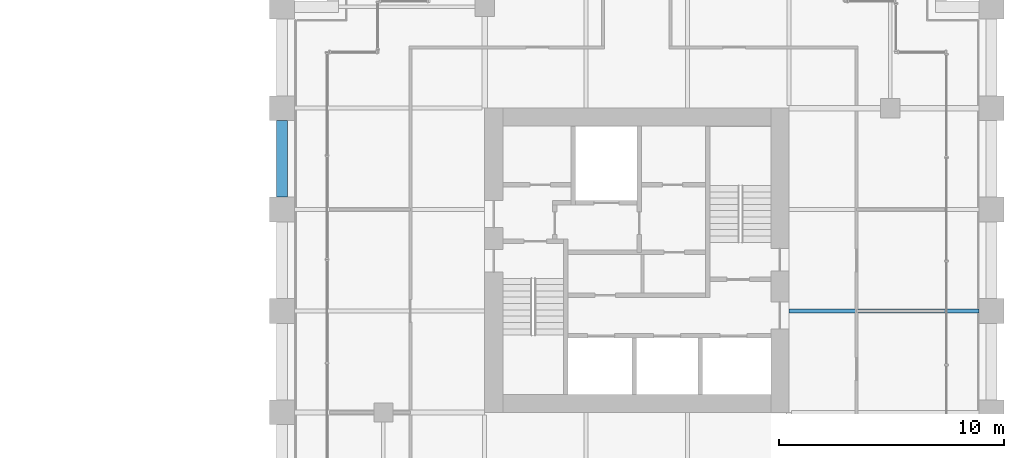
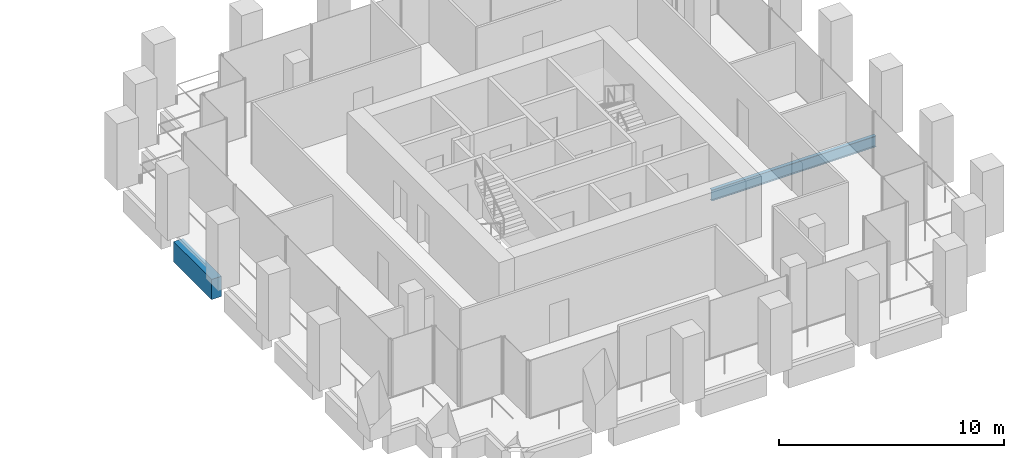
# One storey, part 39 of 56: 2 beams.
"""IFC4 building model written with IfcOpenShell, lengths in metres."""

from ifc_helpers import new_model, si_unit, direction, frame, origin, origin_2d, place, context, subcontext, project, spatial, rectangle, i_section, extrude, material, material_profile, profile_set, type_object, element, save


model = new_model("IFC4")

# Units and contexts
model_context = context("Model", 3, precision=1e-05, world=origin(), true_north=direction((0.0, 1.0)))
body_context = subcontext(model_context, "Body", "Model", "MODEL_VIEW")
ifc_project = project(units=[si_unit("LENGTHUNIT", "METRE"), si_unit("AREAUNIT", "SQUARE_METRE"), si_unit("VOLUMEUNIT", "CUBIC_METRE"), si_unit("PLANEANGLEUNIT", "RADIAN"), si_unit("MASSUNIT", "GRAM", prefix="KILO")], contexts=[model_context])

# Site, building, storey
site_placement = place(None, origin())
site = spatial("IfcSite", under=ifc_project, at=site_placement, CompositionType="ELEMENT")
building_placement = place(site_placement, origin())
building = spatial("IfcBuilding", under=site, at=building_placement, Name="Altepetl Exchange Towers", CompositionType="ELEMENT")
storey_placement = place(building_placement, frame((0.0, 0.0, 83.39990234375)))
storey = spatial("IfcBuildingStorey", under=building, at=storey_placement, Name="L20", CompositionType="ELEMENT", Elevation=83.39990234375)

# Beams
ifc_material_1 = material(Name="Steel S355", Category="steel")
ifc_material_profile_1 = material_profile(ifc_material_1, i_section(OverallWidth=0.177978515625, OverallDepth=0.59912109375, WebThickness=0.010009765625, FlangeThickness=0.0126953125, at=origin_2d()), Name="W24X55")
ifc_profile_set_1 = profile_set([ifc_material_profile_1], Name="Steel S355")
beam_type_1 = type_object("IfcBeamType", Name="Floor beam W24X55", PredefinedType="BEAM", material=ifc_profile_set_1)
beam_1_placement = place(storey_placement, frame((117.0, 40.5, -0.449462890625), z_axis=(1.0, 0.0, 0.0), x_axis=(0.0, 1.0, 0.0)))
element("IfcBeam", 1, at=beam_1_placement, inside=storey, type_object=beam_type_1, Name="bm:B:L20:006", PredefinedType="BEAM", context=body_context, shape_type="SweptSolid", body=[
    extrude(i_section(OverallWidth=0.177978515625, OverallDepth=0.59912109375, WebThickness=0.010009765625, FlangeThickness=0.0126953125, at=origin_2d()), origin(), (0.0, 0.0, 1.0), 8.449951171875),
])
ifc_material_2 = material(Name="Concrete C50/60 precast with cantera rosa facing", Category="concrete")
ifc_material_profile_2 = material_profile(ifc_material_2, rectangle(XDim=0.5, YDim=1.10009765625, at=origin_2d()), Name="500 x 1100")
ifc_profile_set_2 = profile_set([ifc_material_profile_2], Name="Concrete C50/60 precast with cantera rosa facing")
beam_type_2 = type_object("IfcBeamType", Name="Spandrel beam 500x1100 cantera rosa", PredefinedType="SPANDREL", material=ifc_profile_set_2)
beam_2_placement = place(storey_placement, frame((94.5, 48.949951171875, -0.699951171875), z_axis=(0.0, -1.0, 0.0), x_axis=(1.0, 0.0, 0.0)))
element("IfcBeam", 2, at=beam_2_placement, inside=storey, type_object=beam_type_2, Name="sp:B:L20:028", PredefinedType="SPANDREL", context=body_context, shape_type="SweptSolid", body=[
    extrude(rectangle(XDim=0.5, YDim=1.10009765625, at=origin_2d()), origin(), (0.0, 0.0, 1.0), 3.39990234375),
])

save(model, "model.ifc")
